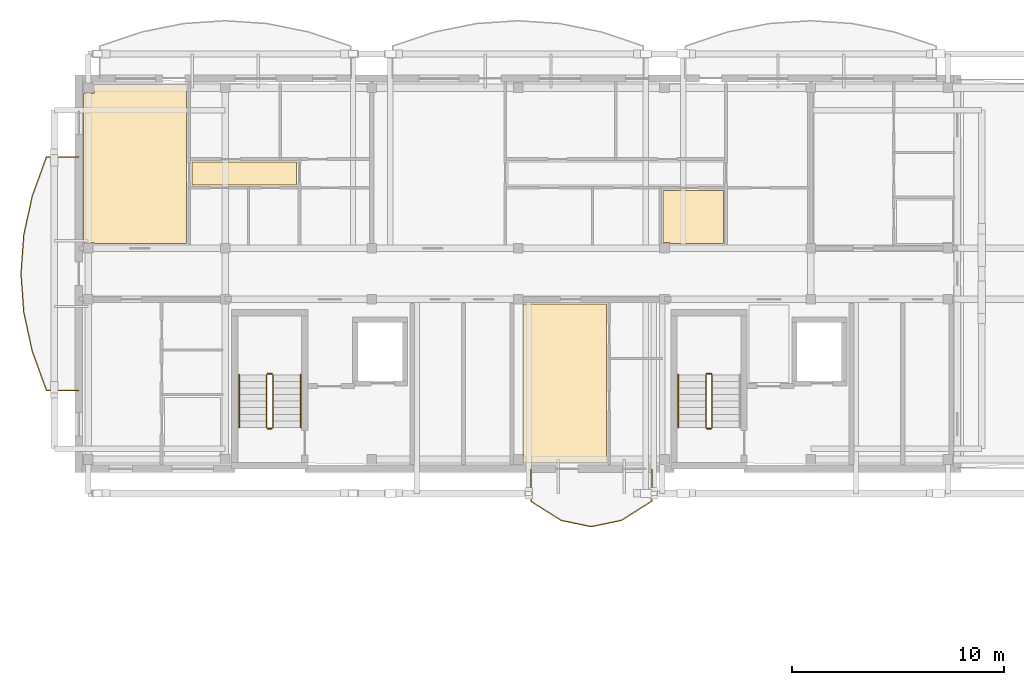
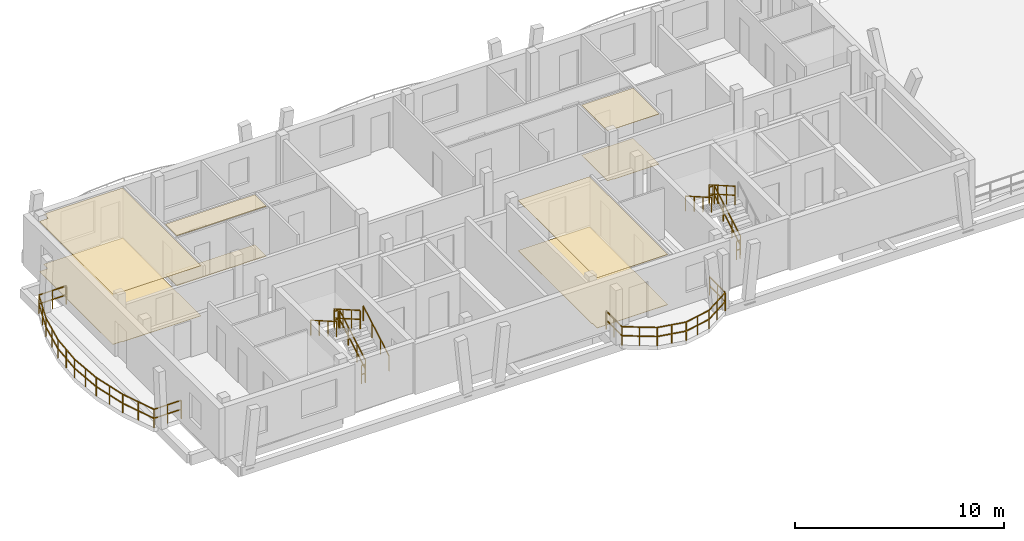
# One storey, part 36 of 42: 13 railings, 8 coverings.
"""IFC4 building model written with IfcOpenShell, lengths in metres."""

import ifcopenshell
import ifcopenshell.guid

model = None  # the IFC model being written
_history = None  # IfcOwnerHistory: only IFC2X3 demands one
_inside = {}  # id of a spatial element -> (the spatial element, [elements in it])
_under = {}  # id of a project, library or spatial element -> (it, [spatial elements below it])
_declared = {}  # id of a project -> (the project, [libraries it declares])
_typed = {}  # id of a type object -> (the type object, [elements of that type])
_made_of = {}  # id of a material, layer set ... -> (it, [elements and type objects made of it])


def new_model(schema):
    """Start an empty IFC model of exactly this schema.

    Asked for "IFC4X3", IfcOpenShell would pick the latest addendum, in which some entities
    have other attributes; the version numbers below select the first issue.
    IFC2X3 requires an IfcOwnerHistory on every rooted entity: one is made here for all.
    """
    global model, _history
    if schema == "IFC4X3":
        model = ifcopenshell.file(schema_version=(4, 3, 0, 0))
    else:
        model = ifcopenshell.file(schema=schema)
    _inside.clear()
    _under.clear()
    _declared.clear()
    _typed.clear()
    _made_of.clear()
    _history = None
    if model.schema == "IFC2X3":
        org = make("IfcOrganization", Name="unknown")
        user = make(
            "IfcPersonAndOrganization",
            ThePerson=make("IfcPerson", FamilyName="unknown"),
            TheOrganization=org,
        )
        app = make(
            "IfcApplication",
            ApplicationDeveloper=org,
            Version="unknown",
            ApplicationFullName="unknown",
            ApplicationIdentifier="unknown",
        )
        _history = make(
            "IfcOwnerHistory",
            OwningUser=user,
            OwningApplication=app,
            ChangeAction="ADDED",
            CreationDate=0,
        )
    return model


def make(cls, **values):
    """One entity of the class cls with the attributes given. An attribute that is None is left unset."""
    return model.create_entity(
        cls, **{name: value for name, value in values.items() if value is not None}
    )


def rooted(cls, **values):
    """An entity with a GlobalId (a new one), such as an element, a storey or a relation."""
    return make(cls, GlobalId=ifcopenshell.guid.new(), OwnerHistory=_history, **values)


def si_unit(unit_type, name, prefix=None):
    """IfcSIUnit, for example si_unit("LENGTHUNIT", "METRE", prefix="MILLI")."""
    return make("IfcSIUnit", UnitType=unit_type, Prefix=prefix, Name=name)


def assignment(units):
    """IfcUnitAssignment: the units of a project."""
    return None if units is None else make("IfcUnitAssignment", Units=units)


def point(xyz):
    """IfcCartesianPoint."""
    return None if xyz is None else make("IfcCartesianPoint", Coordinates=xyz)


def direction(xyz):
    """IfcDirection."""
    return None if xyz is None else make("IfcDirection", DirectionRatios=xyz)


def frame(location, z_axis=None, x_axis=None):
    """IfcAxis2Placement3D, a coordinate frame: its origin and axes. An axis left out is left unset."""
    return make(
        "IfcAxis2Placement3D",
        Location=point(location),
        Axis=direction(z_axis),
        RefDirection=direction(x_axis),
    )


def frame_2d(location, x_axis=None):
    """IfcAxis2Placement2D, a coordinate frame in the plane: its origin and x axis."""
    return make(
        "IfcAxis2Placement2D", Location=point(location), RefDirection=direction(x_axis)
    )


def origin():
    """The frame at (0, 0, 0) with its axes left unset."""
    return frame((0.0, 0.0, 0.0))


def origin_2d():
    """The frame at (0, 0) in the plane with its x axis left unset."""
    return frame_2d((0.0, 0.0))


def place(relative_to, where):
    """IfcLocalPlacement: puts the frame where relative to a parent placement (None: the world)."""
    return make(
        "IfcLocalPlacement", PlacementRelTo=relative_to, RelativePlacement=where
    )


def context(
    kind, dimensions, precision=None, world=None, true_north=None, identifier=None
):
    """IfcGeometricRepresentationContext, for example the 3D "Model" context."""
    return make(
        "IfcGeometricRepresentationContext",
        ContextIdentifier=identifier,
        ContextType=kind,
        CoordinateSpaceDimension=dimensions,
        Precision=precision,
        WorldCoordinateSystem=world,
        TrueNorth=true_north,
    )


def subcontext(parent, identifier, kind, view, scale=None):
    """IfcGeometricRepresentationSubContext, for example "Body" below "Model"."""
    return make(
        "IfcGeometricRepresentationSubContext",
        ContextIdentifier=identifier,
        ContextType=kind,
        ParentContext=parent,
        TargetScale=scale,
        TargetView=view,
    )


def project(units=None, contexts=None):
    """IfcProject with its units and contexts."""
    return rooted(
        "IfcProject",
        Name="project",
        RepresentationContexts=contexts,
        UnitsInContext=assignment(units),
    )


def spatial(cls, under=None, at=None, **own):
    """A site, building, storey or space (cls), placed at a placement, below another one or the project."""
    s = rooted(cls, ObjectPlacement=at, **own)
    if under is not None:
        _under.setdefault(under.id(), (under, []))[1].append(s)
    return s


def polyline(points):
    """IfcPolyline through the points."""
    return make("IfcPolyline", Points=[point(p) for p in points])


def profile(cls, at=None, kind="AREA", **sizes):
    """A parametric profile (cls). Its sizes go by their IFC names, for example OverallWidth=200.0."""
    return make(cls, ProfileType=kind, Position=at, **sizes)


def rectangle(**sizes):
    """IfcRectangleProfileDef."""
    return profile("IfcRectangleProfileDef", **sizes)


def outline(outer, holes=None, kind="AREA"):
    """IfcArbitraryClosedProfileDef: a profile drawn as a closed curve; with holes, ...WithVoids."""
    if holes is None:
        return make("IfcArbitraryClosedProfileDef", ProfileType=kind, OuterCurve=outer)
    return make(
        "IfcArbitraryProfileDefWithVoids",
        ProfileType=kind,
        OuterCurve=outer,
        InnerCurves=holes,
    )


def extrude(swept, where, along, depth):
    """IfcExtrudedAreaSolid: the profile swept, set in the frame where, extruded along a direction by depth."""
    return make(
        "IfcExtrudedAreaSolid",
        SweptArea=swept,
        Position=where,
        ExtrudedDirection=direction(along),
        Depth=depth,
    )


def shape(context_of_items, identifier, shape_type, items):
    """IfcShapeRepresentation: the items that make up one representation, for example the "Body"."""
    return make(
        "IfcShapeRepresentation",
        ContextOfItems=context_of_items,
        RepresentationIdentifier=identifier,
        RepresentationType=shape_type,
        Items=items,
    )


def material(Name=None, Category=None):
    """IfcMaterial."""
    return make("IfcMaterial", Name=Name, Category=Category)


def layer(
    of_material, thickness, ventilated=None, Name=None, Category=None, Priority=None
):
    """IfcMaterialLayer: one layer of a wall or slab, of a material (None: an air gap)."""
    return make(
        "IfcMaterialLayer",
        Material=of_material,
        LayerThickness=thickness,
        IsVentilated=ventilated,
        Name=Name,
        Category=Category,
        Priority=Priority,
    )


def layer_set(layers, Name=None):
    """IfcMaterialLayerSet."""
    return make("IfcMaterialLayerSet", MaterialLayers=layers, LayerSetName=Name)


def made_of(thing, what):
    """Note that an element or type object is made of a material, layer set ...; save() writes the relation."""
    if what is not None:
        _made_of.setdefault(what.id(), (what, []))[1].append(thing)
    return thing


def type_object(cls, material=None, **own):
    """A type object (cls), such as IfcWallType, which elements share."""
    return made_of(rooted(cls, **own), material)


def element(
    cls,
    number,
    at=None,
    inside=None,
    cuts=None,
    type_object=None,
    material=None,
    context=None,
    identifier="Body",
    shape_type=None,
    held_by="IfcProductDefinitionShape",
    body=None,
    shapes=None,
    **own,
):
    """One element of the class cls, such as IfcWall. Its Tag is "e" and its number.

    at: its placement. inside: the storey or other place that contains it. cuts: it is an
    opening in that element (IfcRelVoidsElement). A single representation is given by context,
    identifier, shape_type and body (its items); several are given by shapes. held_by: the class
    of the entity that holds the representations. save() writes the other relations.
    """
    e = rooted(cls, Tag="e%d" % number, ObjectPlacement=at, **own)
    if body is not None:
        shapes = [shape(context, identifier, shape_type, body)]
    if shapes is not None:
        e.Representation = make(held_by, Representations=shapes)
    if inside is not None:
        _inside.setdefault(inside.id(), (inside, []))[1].append(e)
    if cuts is not None:
        rooted(
            "IfcRelVoidsElement", RelatingBuildingElement=cuts, RelatedOpeningElement=e
        )
    if type_object is not None:
        _typed.setdefault(type_object.id(), (type_object, []))[1].append(e)
    return made_of(e, material)


def aggregate(whole, parts):
    """IfcRelAggregates: a whole, such as a stair, and the parts it consists of."""
    return rooted("IfcRelAggregates", RelatingObject=whole, RelatedObjects=parts)


def save(model, path):
    """Write the relations noted so far, then the file.

    IfcRelAggregates (storeys below a building ...), IfcRelContainedInSpatialStructure (elements
    in a storey), IfcRelDefinesByType, IfcRelAssociatesMaterial and IfcRelDeclares: one each for
    every whole, place, type object, material and project.
    """
    for whole, parts in _under.values():
        aggregate(whole, parts)
    for where, things in _inside.values():
        rooted(
            "IfcRelContainedInSpatialStructure",
            RelatedElements=things,
            RelatingStructure=where,
        )
    for kind, things in _typed.values():
        rooted("IfcRelDefinesByType", RelatedObjects=things, RelatingType=kind)
    for what, things in _made_of.values():
        rooted("IfcRelAssociatesMaterial", RelatedObjects=things, RelatingMaterial=what)
    for by, libraries in _declared.values():
        rooted("IfcRelDeclares", RelatingContext=by, RelatedDefinitions=libraries)
    model.write(path)


model = new_model("IFC4")

# Units and contexts
model_context = context("Model", 3, precision=1e-05, world=origin(), true_north=direction((0.0, 1.0)))
body_context = subcontext(model_context, "Body", "Model", "MODEL_VIEW")
ifc_project = project(units=[si_unit("LENGTHUNIT", "METRE"), si_unit("AREAUNIT", "SQUARE_METRE"), si_unit("VOLUMEUNIT", "CUBIC_METRE"), si_unit("PLANEANGLEUNIT", "RADIAN"), si_unit("MASSUNIT", "GRAM", prefix="KILO")], contexts=[model_context])

# Site, building, storey
site_placement = place(None, origin())
site = spatial("IfcSite", under=ifc_project, at=site_placement, CompositionType="ELEMENT")
building_placement = place(site_placement, origin())
building = spatial("IfcBuilding", under=site, at=building_placement, Name="Zavelmont Quarter", CompositionType="ELEMENT")
storey_placement = place(building_placement, frame((0.0, 0.0, 24.0)))
storey = spatial("IfcBuildingStorey", under=building, at=storey_placement, Name="L07", CompositionType="ELEMENT", Elevation=24.0)

# Coverings
ifc_material_1 = material(Name="Perforated acoustic gypsum board")
ifc_layer_1 = layer(ifc_material_1, 0.02490234375)
ifc_layer_set_1 = layer_set([ifc_layer_1], Name="Perforated acoustic gypsum board")
covering_type_1 = type_object("IfcCoveringType", Name="CV-CL01", PredefinedType="CEILING", material=ifc_layer_set_1)
covering_1_placement = place(storey_placement, frame((0.0, 0.0, 2.925048828125)))
element("IfcCovering", 1, at=covering_1_placement, inside=storey, type_object=covering_type_1, Name="L07 Living Dining acoustic ceiling", PredefinedType="CEILING", context=body_context, shape_type="SweptSolid", body=[
    extrude(outline(polyline([(0.22998046875, 115.294921875), (0.705078125, 115.294921875), (0.705078125, 115.719970703125), (5.070068359375, 115.719970703125), (5.070068359375, 108.22998046875), (0.705078125, 108.22998046875), (0.705078125, 108.264892578125), (0.22998046875, 108.264892578125), (0.22998046875, 115.294921875)])), origin(), (0.0, 0.0, 1.0), 0.02490234375),
])
covering_2_placement = place(storey_placement, frame((0.0, 0.0, 2.925048828125)))
element("IfcCovering", 2, at=covering_2_placement, inside=storey, type_object=covering_type_1, Name="L07 Utility Laundry acoustic ceiling", PredefinedType="CEILING", context=body_context, shape_type="SweptSolid", body=[
    extrude(outline(polyline([(27.530029296875, 110.719970703125), (30.3701171875, 110.719970703125), (30.3701171875, 108.22998046875), (27.864990234375, 108.22998046875), (27.864990234375, 108.264892578125), (27.530029296875, 108.264892578125), (27.530029296875, 110.719970703125)])), origin(), (0.0, 0.0, 1.0), 0.02490234375),
])
covering_3_placement = place(storey_placement, frame((0.0, 0.0, 2.925048828125)))
element("IfcCovering", 3, at=covering_3_placement, inside=storey, type_object=covering_type_1, Name="L07 Residents Study Lounge acoustic ceiling", PredefinedType="CEILING", context=body_context, shape_type="SweptSolid", body=[
    extrude(outline(polyline([(20.929931640625, 105.3349609375), (20.965087890625, 105.3349609375), (20.965087890625, 105.3701171875), (24.8701171875, 105.3701171875), (24.8701171875, 97.8798828125), (20.965087890625, 97.8798828125), (20.965087890625, 98.304931640625), (20.929931640625, 98.304931640625), (20.929931640625, 105.3349609375)])), origin(), (0.0, 0.0, 1.0), 0.02490234375),
])
ifc_material_2 = material(Name="Slatted European ash acoustic baffle ceiling")
ifc_layer_2 = layer(ifc_material_2, 0.0400390625)
ifc_layer_set_2 = layer_set([ifc_layer_2], Name="Slatted European ash acoustic baffle ceiling")
covering_type_2 = type_object("IfcCoveringType", Name="CV-CL02", PredefinedType="CEILING", material=ifc_layer_set_2)
covering_4_placement = place(storey_placement, frame((0.0, 0.0, 2.909912109375)))
element("IfcCovering", 4, at=covering_4_placement, inside=storey, type_object=covering_type_2, Name="L07 Apartment Hall acoustic ceiling", PredefinedType="CEILING", context=body_context, shape_type="SweptSolid", body=[
    extrude(outline(polyline([(5.330078125, 112.070068359375), (10.27001953125, 112.070068359375), (10.27001953125, 110.97998046875), (5.330078125, 110.97998046875), (5.330078125, 112.070068359375)])), origin(), (0.0, 0.0, 1.0), 0.0400390625),
])
ifc_material_3 = material(Name="Engineered European oak parquet")
ifc_layer_3 = layer(ifc_material_3, 0.02197265625)
ifc_layer_set_3 = layer_set([ifc_layer_3], Name="Engineered European oak parquet")
covering_type_3 = type_object("IfcCoveringType", Name="CV-FL01", PredefinedType="FLOORING", material=ifc_layer_set_3)
covering_5_placement = place(storey_placement, origin())
element("IfcCovering", 5, at=covering_5_placement, inside=storey, type_object=covering_type_3, Name="L07 Living Dining floor finish", PredefinedType="FLOORING", context=body_context, shape_type="SweptSolid", body=[
    extrude(outline(polyline([(0.22998046875, 115.294921875), (0.705078125, 115.294921875), (0.705078125, 115.719970703125), (5.070068359375, 115.719970703125), (5.070068359375, 108.22998046875), (0.705078125, 108.22998046875), (0.705078125, 108.264892578125), (0.22998046875, 108.264892578125), (0.22998046875, 115.294921875)])), origin(), (0.0, 0.0, 1.0), 0.02197265625),
])
covering_6_placement = place(storey_placement, origin())
element("IfcCovering", 6, at=covering_6_placement, inside=storey, type_object=covering_type_3, Name="L07 Utility Laundry floor finish", PredefinedType="FLOORING", context=body_context, shape_type="SweptSolid", body=[
    extrude(outline(polyline([(27.530029296875, 110.719970703125), (30.3701171875, 110.719970703125), (30.3701171875, 108.22998046875), (27.864990234375, 108.22998046875), (27.864990234375, 108.264892578125), (27.530029296875, 108.264892578125), (27.530029296875, 110.719970703125)])), origin(), (0.0, 0.0, 1.0), 0.02197265625),
])
covering_7_placement = place(storey_placement, origin())
element("IfcCovering", 7, at=covering_7_placement, inside=storey, type_object=covering_type_3, Name="L07 Residents Study Lounge floor finish", PredefinedType="FLOORING", context=body_context, shape_type="SweptSolid", body=[
    extrude(outline(polyline([(20.929931640625, 105.3349609375), (20.965087890625, 105.3349609375), (20.965087890625, 105.3701171875), (24.8701171875, 105.3701171875), (24.8701171875, 97.8798828125), (20.965087890625, 97.8798828125), (20.965087890625, 98.304931640625), (20.929931640625, 98.304931640625), (20.929931640625, 105.3349609375)])), origin(), (0.0, 0.0, 1.0), 0.02197265625),
])
ifc_material_4 = material(Name="Honed Belgian bluestone tile", Category="masonry")
ifc_layer_4 = layer(ifc_material_4, 0.030029296875)
ifc_layer_set_4 = layer_set([ifc_layer_4], Name="Honed Belgian bluestone tile")
covering_type_4 = type_object("IfcCoveringType", Name="CV-FL02", PredefinedType="FLOORING", material=ifc_layer_set_4)
covering_8_placement = place(storey_placement, origin())
element("IfcCovering", 8, at=covering_8_placement, inside=storey, type_object=covering_type_4, Name="L07 Apartment Hall floor finish", PredefinedType="FLOORING", context=body_context, shape_type="SweptSolid", body=[
    extrude(outline(polyline([(5.330078125, 112.070068359375), (10.27001953125, 112.070068359375), (10.27001953125, 110.97998046875), (5.330078125, 110.97998046875), (5.330078125, 112.070068359375)])), origin(), (0.0, 0.0, 1.0), 0.030029296875),
])

# Railings
ifc_material_5 = material(Name="Powder-coated steel and tempered double safety glass", Category="steel")
railing_type_1 = type_object("IfcRailingType", Name="RL-BAL1", PredefinedType="BALUSTRADE", material=ifc_material_5)
railing_1_placement = place(storey_placement, frame((-0.02001953125, 112.30126953125, 0.0)))
element("IfcRailing", 9, at=railing_1_placement, inside=storey, type_object=railing_type_1, Name="L07 Block B curved balcony guard RL-BAL1", PredefinedType="BALUSTRADE", context=body_context, shape_type="SweptSolid", body=[
    extrude(rectangle(XDim=0.048095703125, YDim=0.048095703125, at=origin_2d()), frame((0.0, 0.0, 1.076171875), z_axis=(-1.0, 0.0, 0.0), x_axis=(0.0, -1.0, 0.0)), (0.0, 0.0, 1.0), 1.50830078125),
    extrude(rectangle(XDim=0.048095703125, YDim=0.048095703125, at=origin_2d()), frame((0.0, 0.0, 0.550048828125), z_axis=(-1.0, 0.0, 0.0), x_axis=(0.0, -1.0, 0.0)), (0.0, 0.0, 1.0), 1.50830078125),
    extrude(rectangle(XDim=0.048095703125, YDim=0.048095703125, at=origin_2d()), frame((-1.50830078125, 0.0, 1.076171875), z_axis=(-0.341823429851, -0.93976419532, 0.0), x_axis=(0.93976419532, -0.341823429851, 0.0)), (0.0, 0.0, 1.0), 1.951171875),
    extrude(rectangle(XDim=0.048095703125, YDim=0.048095703125, at=origin_2d()), frame((-1.50830078125, 0.0, 0.550048828125), z_axis=(-0.341823429851, -0.93976419532, 0.0), x_axis=(0.93976419532, -0.341823429851, 0.0)), (0.0, 0.0, 1.0), 1.951171875),
    extrude(rectangle(XDim=0.048095703125, YDim=0.048095703125, at=origin_2d()), frame((-2.17529296875, -1.833740234375, 1.076171875), z_axis=(-0.213320583153, -0.976982256135, 0.0), x_axis=(0.976982256135, -0.213320583153, 0.0)), (0.0, 0.0, 1.0), 1.876953125),
    extrude(rectangle(XDim=0.048095703125, YDim=0.048095703125, at=origin_2d()), frame((-2.17529296875, -1.833740234375, 0.550048828125), z_axis=(-0.213320583153, -0.976982256135, 0.0), x_axis=(0.976982256135, -0.213320583153, 0.0)), (0.0, 0.0, 1.0), 1.876953125),
    extrude(rectangle(XDim=0.048095703125, YDim=0.048095703125, at=origin_2d()), frame((-2.57568359375, -3.66748046875, 1.076171875), z_axis=(-0.072502073076, -0.997368261677, 0.0), x_axis=(0.997368261677, -0.072502073076, 0.0)), (0.0, 0.0, 1.0), 1.838623046875),
    extrude(rectangle(XDim=0.048095703125, YDim=0.048095703125, at=origin_2d()), frame((-2.57568359375, -3.66748046875, 0.550048828125), z_axis=(-0.072502073076, -0.997368261677, 0.0), x_axis=(0.997368261677, -0.072502073076, 0.0)), (0.0, 0.0, 1.0), 1.838623046875),
    extrude(rectangle(XDim=0.048095703125, YDim=0.048095703125, at=origin_2d()), frame((-2.708984375, -5.501220703125, 1.076171875), z_axis=(0.072502073076, -0.997368261677, 0.0), x_axis=(0.997368261677, 0.072502073076, 0.0)), (0.0, 0.0, 1.0), 1.838623046875),
    extrude(rectangle(XDim=0.048095703125, YDim=0.048095703125, at=origin_2d()), frame((-2.708984375, -5.501220703125, 0.550048828125), z_axis=(0.072502073076, -0.997368261677, 0.0), x_axis=(0.997368261677, 0.072502073076, 0.0)), (0.0, 0.0, 1.0), 1.838623046875),
    extrude(rectangle(XDim=0.048095703125, YDim=0.048095703125, at=origin_2d()), frame((-2.57568359375, -7.3349609375, 1.076171875), z_axis=(0.213320583153, -0.976982256135, 0.0), x_axis=(0.976982256135, 0.213320583153, 0.0)), (0.0, 0.0, 1.0), 1.876953125),
    extrude(rectangle(XDim=0.048095703125, YDim=0.048095703125, at=origin_2d()), frame((-2.57568359375, -7.3349609375, 0.550048828125), z_axis=(0.213320583153, -0.976982256135, 0.0), x_axis=(0.976982256135, 0.213320583153, 0.0)), (0.0, 0.0, 1.0), 1.876953125),
    extrude(rectangle(XDim=0.048095703125, YDim=0.048095703125, at=origin_2d()), frame((-2.17529296875, -9.168701171875, 1.076171875), z_axis=(0.341823429851, -0.93976419532, 0.0), x_axis=(0.93976419532, 0.341823429851, 0.0)), (0.0, 0.0, 1.0), 1.951171875),
    extrude(rectangle(XDim=0.048095703125, YDim=0.048095703125, at=origin_2d()), frame((-2.17529296875, -9.168701171875, 0.550048828125), z_axis=(0.341823429851, -0.93976419532, 0.0), x_axis=(0.93976419532, 0.341823429851, 0.0)), (0.0, 0.0, 1.0), 1.951171875),
    extrude(rectangle(XDim=0.048095703125, YDim=0.048095703125, at=origin_2d()), frame((-1.50830078125, -11.00244140625, 1.076171875), z_axis=(1.0, 0.0, 0.0), x_axis=(0.0, 1.0, 0.0)), (0.0, 0.0, 1.0), 1.50830078125),
    extrude(rectangle(XDim=0.048095703125, YDim=0.048095703125, at=origin_2d()), frame((-1.50830078125, -11.00244140625, 0.550048828125), z_axis=(1.0, 0.0, 0.0), x_axis=(0.0, 1.0, 0.0)), (0.0, 0.0, 1.0), 1.50830078125),
    extrude(rectangle(XDim=0.0419921875, YDim=0.0419921875, at=origin_2d()), origin(), (0.0, 0.0, 1.0), 1.052001953125),
    extrude(rectangle(XDim=0.0419921875, YDim=0.0419921875, at=origin_2d()), frame((-0.754150390625, 0.0, 0.0)), (0.0, 0.0, 1.0), 1.052001953125),
    extrude(rectangle(XDim=0.0419921875, YDim=0.0419921875, at=origin_2d()), frame((-1.50830078125, 0.0, 0.0)), (0.0, 0.0, 1.0), 1.052001953125),
    extrude(rectangle(XDim=0.0419921875, YDim=0.0419921875, at=origin_2d()), frame((-1.841796875, -0.9169921875, 0.0)), (0.0, 0.0, 1.0), 1.052001953125),
    extrude(rectangle(XDim=0.0419921875, YDim=0.0419921875, at=origin_2d()), frame((-2.17529296875, -1.833740234375, 0.0)), (0.0, 0.0, 1.0), 1.052001953125),
    extrude(rectangle(XDim=0.0419921875, YDim=0.0419921875, at=origin_2d()), frame((-2.37548828125, -2.75048828125, 0.0)), (0.0, 0.0, 1.0), 1.052001953125),
    extrude(rectangle(XDim=0.0419921875, YDim=0.0419921875, at=origin_2d()), frame((-2.57568359375, -3.66748046875, 0.0)), (0.0, 0.0, 1.0), 1.052001953125),
    extrude(rectangle(XDim=0.0419921875, YDim=0.0419921875, at=origin_2d()), frame((-2.642333984375, -4.58447265625, 0.0)), (0.0, 0.0, 1.0), 1.052001953125),
    extrude(rectangle(XDim=0.0419921875, YDim=0.0419921875, at=origin_2d()), frame((-2.708984375, -5.501220703125, 0.0)), (0.0, 0.0, 1.0), 1.052001953125),
    extrude(rectangle(XDim=0.0419921875, YDim=0.0419921875, at=origin_2d()), frame((-2.642333984375, -6.41796875, 0.0)), (0.0, 0.0, 1.0), 1.052001953125),
    extrude(rectangle(XDim=0.0419921875, YDim=0.0419921875, at=origin_2d()), frame((-2.57568359375, -7.3349609375, 0.0)), (0.0, 0.0, 1.0), 1.052001953125),
    extrude(rectangle(XDim=0.0419921875, YDim=0.0419921875, at=origin_2d()), frame((-2.37548828125, -8.251953125, 0.0)), (0.0, 0.0, 1.0), 1.052001953125),
    extrude(rectangle(XDim=0.0419921875, YDim=0.0419921875, at=origin_2d()), frame((-2.17529296875, -9.168701171875, 0.0)), (0.0, 0.0, 1.0), 1.052001953125),
    extrude(rectangle(XDim=0.0419921875, YDim=0.0419921875, at=origin_2d()), frame((-1.841796875, -10.08544921875, 0.0)), (0.0, 0.0, 1.0), 1.052001953125),
    extrude(rectangle(XDim=0.0419921875, YDim=0.0419921875, at=origin_2d()), frame((-1.50830078125, -11.00244140625, 0.0)), (0.0, 0.0, 1.0), 1.052001953125),
    extrude(rectangle(XDim=0.0419921875, YDim=0.0419921875, at=origin_2d()), frame((-0.754150390625, -11.00244140625, 0.0)), (0.0, 0.0, 1.0), 1.052001953125),
    extrude(rectangle(XDim=0.0419921875, YDim=0.0419921875, at=origin_2d()), frame((0.0, -11.00244140625, 0.0)), (0.0, 0.0, 1.0), 1.052001953125),
])
railing_2_placement = place(storey_placement, frame((21.300048828125, 97.580078125, 0.0)))
element("IfcRailing", 10, at=railing_2_placement, inside=storey, type_object=railing_type_1, Name="L07 Block B curved balcony guard RL-BAL1", PredefinedType="BALUSTRADE", context=body_context, shape_type="SweptSolid", body=[
    extrude(rectangle(XDim=0.048095703125, YDim=0.048095703125, at=origin_2d()), frame((0.0, 0.0, 1.076171875), z_axis=(0.0, -1.0, 0.0), x_axis=(1.0, 0.0, 0.0)), (0.0, 0.0, 1.0), 1.50830078125),
    extrude(rectangle(XDim=0.048095703125, YDim=0.048095703125, at=origin_2d()), frame((0.0, 0.0, 0.550048828125), z_axis=(0.0, -1.0, 0.0), x_axis=(1.0, 0.0, 0.0)), (0.0, 0.0, 1.0), 1.50830078125),
    extrude(rectangle(XDim=0.048095703125, YDim=0.048095703125, at=origin_2d()), frame((0.0, -1.50830078125, 1.076171875), z_axis=(0.845327122237, -0.534249058409, 0.0), x_axis=(0.534249058409, 0.845327122237, 0.0)), (0.0, 0.0, 1.0), 1.685791015625),
    extrude(rectangle(XDim=0.048095703125, YDim=0.048095703125, at=origin_2d()), frame((0.0, -1.50830078125, 0.550048828125), z_axis=(0.845327122237, -0.534249058409, 0.0), x_axis=(0.534249058409, 0.845327122237, 0.0)), (0.0, 0.0, 1.0), 1.685791015625),
    extrude(rectangle(XDim=0.048095703125, YDim=0.048095703125, at=origin_2d()), frame((1.425048828125, -2.408935546875, 1.076171875), z_axis=(0.978537330061, -0.206069633078, 0.0), x_axis=(0.206069633078, 0.978537330061, 0.0)), (0.0, 0.0, 1.0), 1.4560546875),
    extrude(rectangle(XDim=0.048095703125, YDim=0.048095703125, at=origin_2d()), frame((1.425048828125, -2.408935546875, 0.550048828125), z_axis=(0.978537330061, -0.206069633078, 0.0), x_axis=(0.206069633078, 0.978537330061, 0.0)), (0.0, 0.0, 1.0), 1.4560546875),
    extrude(rectangle(XDim=0.048095703125, YDim=0.048095703125, at=origin_2d()), frame((2.849853515625, -2.708984375, 1.076171875), z_axis=(0.978544448475, 0.206035827853, 0.0), x_axis=(-0.206035827853, 0.978544448475, 0.0)), (0.0, 0.0, 1.0), 1.456298828125),
    extrude(rectangle(XDim=0.048095703125, YDim=0.048095703125, at=origin_2d()), frame((2.849853515625, -2.708984375, 0.550048828125), z_axis=(0.978544448475, 0.206035827853, 0.0), x_axis=(-0.206035827853, 0.978544448475, 0.0)), (0.0, 0.0, 1.0), 1.456298828125),
    extrude(rectangle(XDim=0.048095703125, YDim=0.048095703125, at=origin_2d()), frame((4.27490234375, -2.408935546875, 1.076171875), z_axis=(0.845327122237, 0.534249058409, 0.0), x_axis=(-0.534249058409, 0.845327122237, 0.0)), (0.0, 0.0, 1.0), 1.685791015625),
    extrude(rectangle(XDim=0.048095703125, YDim=0.048095703125, at=origin_2d()), frame((4.27490234375, -2.408935546875, 0.550048828125), z_axis=(0.845327122237, 0.534249058409, 0.0), x_axis=(-0.534249058409, 0.845327122237, 0.0)), (0.0, 0.0, 1.0), 1.685791015625),
    extrude(rectangle(XDim=0.048095703125, YDim=0.048095703125, at=origin_2d()), frame((5.699951171875, -1.50830078125, 1.076171875), z_axis=(0.0, 1.0, 0.0), x_axis=(-1.0, 0.0, 0.0)), (0.0, 0.0, 1.0), 1.50830078125),
    extrude(rectangle(XDim=0.048095703125, YDim=0.048095703125, at=origin_2d()), frame((5.699951171875, -1.50830078125, 0.550048828125), z_axis=(0.0, 1.0, 0.0), x_axis=(-1.0, 0.0, 0.0)), (0.0, 0.0, 1.0), 1.50830078125),
    extrude(rectangle(XDim=0.0419921875, YDim=0.0419921875, at=origin_2d()), origin(), (0.0, 0.0, 1.0), 1.052001953125),
    extrude(rectangle(XDim=0.0419921875, YDim=0.0419921875, at=origin_2d()), frame((0.0, -0.754150390625, 0.0)), (0.0, 0.0, 1.0), 1.052001953125),
    extrude(rectangle(XDim=0.0419921875, YDim=0.0419921875, at=origin_2d()), frame((0.0, -1.50830078125, 0.0)), (0.0, 0.0, 1.0), 1.052001953125),
    extrude(rectangle(XDim=0.0419921875, YDim=0.0419921875, at=origin_2d()), frame((0.71240234375, -1.95849609375, 0.0)), (0.0, 0.0, 1.0), 1.052001953125),
    extrude(rectangle(XDim=0.0419921875, YDim=0.0419921875, at=origin_2d()), frame((1.425048828125, -2.408935546875, 0.0)), (0.0, 0.0, 1.0), 1.052001953125),
    extrude(rectangle(XDim=0.0419921875, YDim=0.0419921875, at=origin_2d()), frame((2.137451171875, -2.55908203125, 0.0)), (0.0, 0.0, 1.0), 1.052001953125),
    extrude(rectangle(XDim=0.0419921875, YDim=0.0419921875, at=origin_2d()), frame((2.849853515625, -2.708984375, 0.0)), (0.0, 0.0, 1.0), 1.052001953125),
    extrude(rectangle(XDim=0.0419921875, YDim=0.0419921875, at=origin_2d()), frame((3.5625, -2.55908203125, 0.0)), (0.0, 0.0, 1.0), 1.052001953125),
    extrude(rectangle(XDim=0.0419921875, YDim=0.0419921875, at=origin_2d()), frame((4.27490234375, -2.408935546875, 0.0)), (0.0, 0.0, 1.0), 1.052001953125),
    extrude(rectangle(XDim=0.0419921875, YDim=0.0419921875, at=origin_2d()), frame((4.9873046875, -1.95849609375, 0.0)), (0.0, 0.0, 1.0), 1.052001953125),
    extrude(rectangle(XDim=0.0419921875, YDim=0.0419921875, at=origin_2d()), frame((5.699951171875, -1.50830078125, 0.0)), (0.0, 0.0, 1.0), 1.052001953125),
    extrude(rectangle(XDim=0.0419921875, YDim=0.0419921875, at=origin_2d()), frame((5.699951171875, -0.754150390625, 0.0)), (0.0, 0.0, 1.0), 1.052001953125),
    extrude(rectangle(XDim=0.0419921875, YDim=0.0419921875, at=origin_2d()), frame((5.699951171875, 0.0, 0.0)), (0.0, 0.0, 1.0), 1.052001953125),
])
ifc_material_6 = material(Name="Powder-coated steel stair guardrail", Category="steel")
railing_type_2 = type_object("IfcRailingType", Name="RL-GRD1", PredefinedType="GUARDRAIL", material=ifc_material_6)
railing_3_placement = place(storey_placement, frame((9.14990234375, 99.550048828125, 0.177734375)))
element("IfcRailing", 11, at=railing_3_placement, inside=storey, type_object=railing_type_2, Name="L07 ST03 stair guardrail 1", PredefinedType="GUARDRAIL", context=body_context, shape_type="SweptSolid", body=[
    extrude(rectangle(XDim=0.048095703125, YDim=0.048095703125, at=origin_2d()), frame((0.0, 0.0, 1.076171875), z_axis=(0.0, 0.867453774394, 0.497517787913), x_axis=(-1.0, 0.0, 0.0)), (0.0, 0.0, 1.0), 2.85888671875),
    extrude(rectangle(XDim=0.048095703125, YDim=0.048095703125, at=origin_2d()), frame((0.0, 0.0, 0.550048828125), z_axis=(0.0, 0.867453774394, 0.497517787913), x_axis=(-1.0, 0.0, 0.0)), (0.0, 0.0, 1.0), 2.85888671875),
    extrude(rectangle(XDim=0.0419921875, YDim=0.0419921875, at=origin_2d()), origin(), (0.0, 0.0, 1.0), 1.052001953125),
    extrude(rectangle(XDim=0.0419921875, YDim=0.0419921875, at=origin_2d()), frame((0.0, 0.82666015625, 0.47412109375)), (0.0, 0.0, 1.0), 1.052001953125),
    extrude(rectangle(XDim=0.0419921875, YDim=0.0419921875, at=origin_2d()), frame((0.0, 1.6533203125, 0.9482421875)), (0.0, 0.0, 1.0), 1.052001953125),
    extrude(rectangle(XDim=0.0419921875, YDim=0.0419921875, at=origin_2d()), frame((0.0, 2.47998046875, 1.42236328125)), (0.0, 0.0, 1.0), 1.052001953125),
])
railing_4_placement = place(storey_placement, frame((9.10009765625, 102.080078125, 1.60009765625)))
element("IfcRailing", 12, at=railing_4_placement, inside=storey, type_object=railing_type_2, Name="L07 ST03 stair guardrail 2", PredefinedType="GUARDRAIL", context=body_context, shape_type="SweptSolid", body=[
    extrude(rectangle(XDim=0.048095703125, YDim=0.048095703125, at=origin_2d()), frame((0.0, 0.0, 1.076171875), z_axis=(-1.0, 0.0, 0.0), x_axis=(0.0, -1.0, 0.0)), (0.0, 0.0, 1.0), 0.2001953125),
    extrude(rectangle(XDim=0.048095703125, YDim=0.048095703125, at=origin_2d()), frame((0.0, 0.0, 0.550048828125), z_axis=(-1.0, 0.0, 0.0), x_axis=(0.0, -1.0, 0.0)), (0.0, 0.0, 1.0), 0.2001953125),
    extrude(rectangle(XDim=0.0419921875, YDim=0.0419921875, at=origin_2d()), origin(), (0.0, 0.0, 1.0), 1.052001953125),
    extrude(rectangle(XDim=0.0419921875, YDim=0.0419921875, at=origin_2d()), frame((-0.2001953125, 0.0, 0.0)), (0.0, 0.0, 1.0), 1.052001953125),
])
railing_5_placement = place(storey_placement, frame((8.85009765625, 102.030029296875, 1.77783203125)))
element("IfcRailing", 13, at=railing_5_placement, inside=storey, type_object=railing_type_2, Name="L07 ST03 stair guardrail 3", PredefinedType="GUARDRAIL", context=body_context, shape_type="SweptSolid", body=[
    extrude(rectangle(XDim=0.048095703125, YDim=0.048095703125, at=origin_2d()), frame((0.0, 0.0, 1.076171875), z_axis=(0.0, -0.867490628297, 0.497453525283), x_axis=(1.0, 0.0, 0.0)), (0.0, 0.0, 1.0), 2.85888671875),
    extrude(rectangle(XDim=0.048095703125, YDim=0.048095703125, at=origin_2d()), frame((0.0, 0.0, 0.550048828125), z_axis=(0.0, -0.867490628297, 0.497453525283), x_axis=(1.0, 0.0, 0.0)), (0.0, 0.0, 1.0), 2.85888671875),
    extrude(rectangle(XDim=0.0419921875, YDim=0.0419921875, at=origin_2d()), origin(), (0.0, 0.0, 1.0), 1.052001953125),
    extrude(rectangle(XDim=0.0419921875, YDim=0.0419921875, at=origin_2d()), frame((0.0, -0.82666015625, 0.47412109375)), (0.0, 0.0, 1.0), 1.052001953125),
    extrude(rectangle(XDim=0.0419921875, YDim=0.0419921875, at=origin_2d()), frame((0.0, -1.6533203125, 0.947998046875)), (0.0, 0.0, 1.0), 1.052001953125),
    extrude(rectangle(XDim=0.0419921875, YDim=0.0419921875, at=origin_2d()), frame((0.0, -2.47998046875, 1.422119140625)), (0.0, 0.0, 1.0), 1.052001953125),
])
railing_6_placement = place(storey_placement, frame((9.10009765625, 99.5, 0.0)))
element("IfcRailing", 14, at=railing_6_placement, inside=storey, type_object=railing_type_2, Name="L07 ST03 stair guardrail 4", PredefinedType="GUARDRAIL", context=body_context, shape_type="SweptSolid", body=[
    extrude(rectangle(XDim=0.048095703125, YDim=0.048095703125, at=origin_2d()), frame((0.0, 0.0, 1.076171875), z_axis=(-1.0, 0.0, 0.0), x_axis=(0.0, -1.0, 0.0)), (0.0, 0.0, 1.0), 0.2001953125),
    extrude(rectangle(XDim=0.048095703125, YDim=0.048095703125, at=origin_2d()), frame((0.0, 0.0, 0.550048828125), z_axis=(-1.0, 0.0, 0.0), x_axis=(0.0, -1.0, 0.0)), (0.0, 0.0, 1.0), 0.2001953125),
    extrude(rectangle(XDim=0.0419921875, YDim=0.0419921875, at=origin_2d()), origin(), (0.0, 0.0, 1.0), 1.052001953125),
    extrude(rectangle(XDim=0.0419921875, YDim=0.0419921875, at=origin_2d()), frame((-0.2001953125, 0.0, 0.0)), (0.0, 0.0, 1.0), 1.052001953125),
])
railing_7_placement = place(storey_placement, frame((29.85009765625, 99.550048828125, 0.177734375)))
element("IfcRailing", 15, at=railing_7_placement, inside=storey, type_object=railing_type_2, Name="L07 ST04 stair guardrail 1", PredefinedType="GUARDRAIL", context=body_context, shape_type="SweptSolid", body=[
    extrude(rectangle(XDim=0.048095703125, YDim=0.048095703125, at=origin_2d()), frame((0.0, 0.0, 1.076171875), z_axis=(0.0, 0.867453774394, 0.497517787913), x_axis=(-1.0, 0.0, 0.0)), (0.0, 0.0, 1.0), 2.85888671875),
    extrude(rectangle(XDim=0.048095703125, YDim=0.048095703125, at=origin_2d()), frame((0.0, 0.0, 0.550048828125), z_axis=(0.0, 0.867453774394, 0.497517787913), x_axis=(-1.0, 0.0, 0.0)), (0.0, 0.0, 1.0), 2.85888671875),
    extrude(rectangle(XDim=0.0419921875, YDim=0.0419921875, at=origin_2d()), origin(), (0.0, 0.0, 1.0), 1.052001953125),
    extrude(rectangle(XDim=0.0419921875, YDim=0.0419921875, at=origin_2d()), frame((0.0, 0.82666015625, 0.47412109375)), (0.0, 0.0, 1.0), 1.052001953125),
    extrude(rectangle(XDim=0.0419921875, YDim=0.0419921875, at=origin_2d()), frame((0.0, 1.6533203125, 0.9482421875)), (0.0, 0.0, 1.0), 1.052001953125),
    extrude(rectangle(XDim=0.0419921875, YDim=0.0419921875, at=origin_2d()), frame((0.0, 2.47998046875, 1.42236328125)), (0.0, 0.0, 1.0), 1.052001953125),
])
railing_8_placement = place(storey_placement, frame((29.800048828125, 102.080078125, 1.60009765625)))
element("IfcRailing", 16, at=railing_8_placement, inside=storey, type_object=railing_type_2, Name="L07 ST04 stair guardrail 2", PredefinedType="GUARDRAIL", context=body_context, shape_type="SweptSolid", body=[
    extrude(rectangle(XDim=0.048095703125, YDim=0.048095703125, at=origin_2d()), frame((0.0, 0.0, 1.076171875), z_axis=(-1.0, 0.0, 0.0), x_axis=(0.0, -1.0, 0.0)), (0.0, 0.0, 1.0), 0.199951171875),
    extrude(rectangle(XDim=0.048095703125, YDim=0.048095703125, at=origin_2d()), frame((0.0, 0.0, 0.550048828125), z_axis=(-1.0, 0.0, 0.0), x_axis=(0.0, -1.0, 0.0)), (0.0, 0.0, 1.0), 0.199951171875),
    extrude(rectangle(XDim=0.0419921875, YDim=0.0419921875, at=origin_2d()), origin(), (0.0, 0.0, 1.0), 1.052001953125),
    extrude(rectangle(XDim=0.0419921875, YDim=0.0419921875, at=origin_2d()), frame((-0.199951171875, 0.0, 0.0)), (0.0, 0.0, 1.0), 1.052001953125),
])
railing_9_placement = place(storey_placement, frame((29.550048828125, 102.030029296875, 1.77783203125)))
element("IfcRailing", 17, at=railing_9_placement, inside=storey, type_object=railing_type_2, Name="L07 ST04 stair guardrail 3", PredefinedType="GUARDRAIL", context=body_context, shape_type="SweptSolid", body=[
    extrude(rectangle(XDim=0.048095703125, YDim=0.048095703125, at=origin_2d()), frame((0.0, 0.0, 1.076171875), z_axis=(0.0, -0.867490628297, 0.497453525283), x_axis=(1.0, 0.0, 0.0)), (0.0, 0.0, 1.0), 2.85888671875),
    extrude(rectangle(XDim=0.048095703125, YDim=0.048095703125, at=origin_2d()), frame((0.0, 0.0, 0.550048828125), z_axis=(0.0, -0.867490628297, 0.497453525283), x_axis=(1.0, 0.0, 0.0)), (0.0, 0.0, 1.0), 2.85888671875),
    extrude(rectangle(XDim=0.0419921875, YDim=0.0419921875, at=origin_2d()), origin(), (0.0, 0.0, 1.0), 1.052001953125),
    extrude(rectangle(XDim=0.0419921875, YDim=0.0419921875, at=origin_2d()), frame((0.0, -0.82666015625, 0.47412109375)), (0.0, 0.0, 1.0), 1.052001953125),
    extrude(rectangle(XDim=0.0419921875, YDim=0.0419921875, at=origin_2d()), frame((0.0, -1.6533203125, 0.947998046875)), (0.0, 0.0, 1.0), 1.052001953125),
    extrude(rectangle(XDim=0.0419921875, YDim=0.0419921875, at=origin_2d()), frame((0.0, -2.47998046875, 1.422119140625)), (0.0, 0.0, 1.0), 1.052001953125),
])
railing_10_placement = place(storey_placement, frame((29.800048828125, 99.5, 0.0)))
element("IfcRailing", 18, at=railing_10_placement, inside=storey, type_object=railing_type_2, Name="L07 ST04 stair guardrail 4", PredefinedType="GUARDRAIL", context=body_context, shape_type="SweptSolid", body=[
    extrude(rectangle(XDim=0.048095703125, YDim=0.048095703125, at=origin_2d()), frame((0.0, 0.0, 1.076171875), z_axis=(-1.0, 0.0, 0.0), x_axis=(0.0, -1.0, 0.0)), (0.0, 0.0, 1.0), 0.199951171875),
    extrude(rectangle(XDim=0.048095703125, YDim=0.048095703125, at=origin_2d()), frame((0.0, 0.0, 0.550048828125), z_axis=(-1.0, 0.0, 0.0), x_axis=(0.0, -1.0, 0.0)), (0.0, 0.0, 1.0), 0.199951171875),
    extrude(rectangle(XDim=0.0419921875, YDim=0.0419921875, at=origin_2d()), origin(), (0.0, 0.0, 1.0), 1.052001953125),
    extrude(rectangle(XDim=0.0419921875, YDim=0.0419921875, at=origin_2d()), frame((-0.199951171875, 0.0, 0.0)), (0.0, 0.0, 1.0), 1.052001953125),
])
ifc_material_7 = material(Name="Brushed stainless-steel wall handrail", Category="steel")
railing_type_3 = type_object("IfcRailingType", Name="RL-HND1", PredefinedType="HANDRAIL", material=ifc_material_7)
railing_11_placement = place(storey_placement, frame((10.449951171875, 99.550048828125, 0.177734375)))
element("IfcRailing", 19, at=railing_11_placement, inside=storey, type_object=railing_type_3, Name="L07 ST03 stair handrail 1", PredefinedType="HANDRAIL", context=body_context, shape_type="SweptSolid", body=[
    extrude(rectangle(XDim=0.048095703125, YDim=0.048095703125, at=origin_2d()), frame((0.0, 0.0, 0.8759765625), z_axis=(0.0, 0.867453774394, 0.497517787913), x_axis=(-1.0, 0.0, 0.0)), (0.0, 0.0, 1.0), 2.85888671875),
    extrude(rectangle(XDim=0.0419921875, YDim=0.0419921875, at=origin_2d()), origin(), (0.0, 0.0, 1.0), 0.851806640625),
    extrude(rectangle(XDim=0.0419921875, YDim=0.0419921875, at=origin_2d()), frame((0.0, 0.82666015625, 0.47412109375)), (0.0, 0.0, 1.0), 0.851806640625),
    extrude(rectangle(XDim=0.0419921875, YDim=0.0419921875, at=origin_2d()), frame((0.0, 1.6533203125, 0.9482421875)), (0.0, 0.0, 1.0), 0.851806640625),
    extrude(rectangle(XDim=0.0419921875, YDim=0.0419921875, at=origin_2d()), frame((0.0, 2.47998046875, 1.42236328125)), (0.0, 0.0, 1.0), 0.851806640625),
])
for number, where, name in (
    (20, (7.550048828125, 102.030029296875, 1.77783203125), "L07 ST03 stair handrail 2"),
    (21, (28.25, 102.030029296875, 1.77783203125), "L07 ST04 stair handrail 2"),
):
    element("IfcRailing", number, at=place(storey_placement, frame(where)), inside=storey, type_object=railing_type_3, Name=name, PredefinedType="HANDRAIL", context=body_context, shape_type="SweptSolid", body=[
        extrude(rectangle(XDim=0.048095703125, YDim=0.048095703125, at=origin_2d()), frame((0.0, 0.0, 0.8759765625), z_axis=(0.0, -0.867490628297, 0.497453525283), x_axis=(1.0, 0.0, 0.0)), (0.0, 0.0, 1.0), 2.85888671875),
        extrude(rectangle(XDim=0.0419921875, YDim=0.0419921875, at=origin_2d()), origin(), (0.0, 0.0, 1.0), 0.851806640625),
        extrude(rectangle(XDim=0.0419921875, YDim=0.0419921875, at=origin_2d()), frame((0.0, -0.82666015625, 0.47412109375)), (0.0, 0.0, 1.0), 0.851806640625),
        extrude(rectangle(XDim=0.0419921875, YDim=0.0419921875, at=origin_2d()), frame((0.0, -1.6533203125, 0.947998046875)), (0.0, 0.0, 1.0), 0.851806640625),
        extrude(rectangle(XDim=0.0419921875, YDim=0.0419921875, at=origin_2d()), frame((0.0, -2.47998046875, 1.422119140625)), (0.0, 0.0, 1.0), 0.851806640625),
    ])

save(model, "model.ifc")
